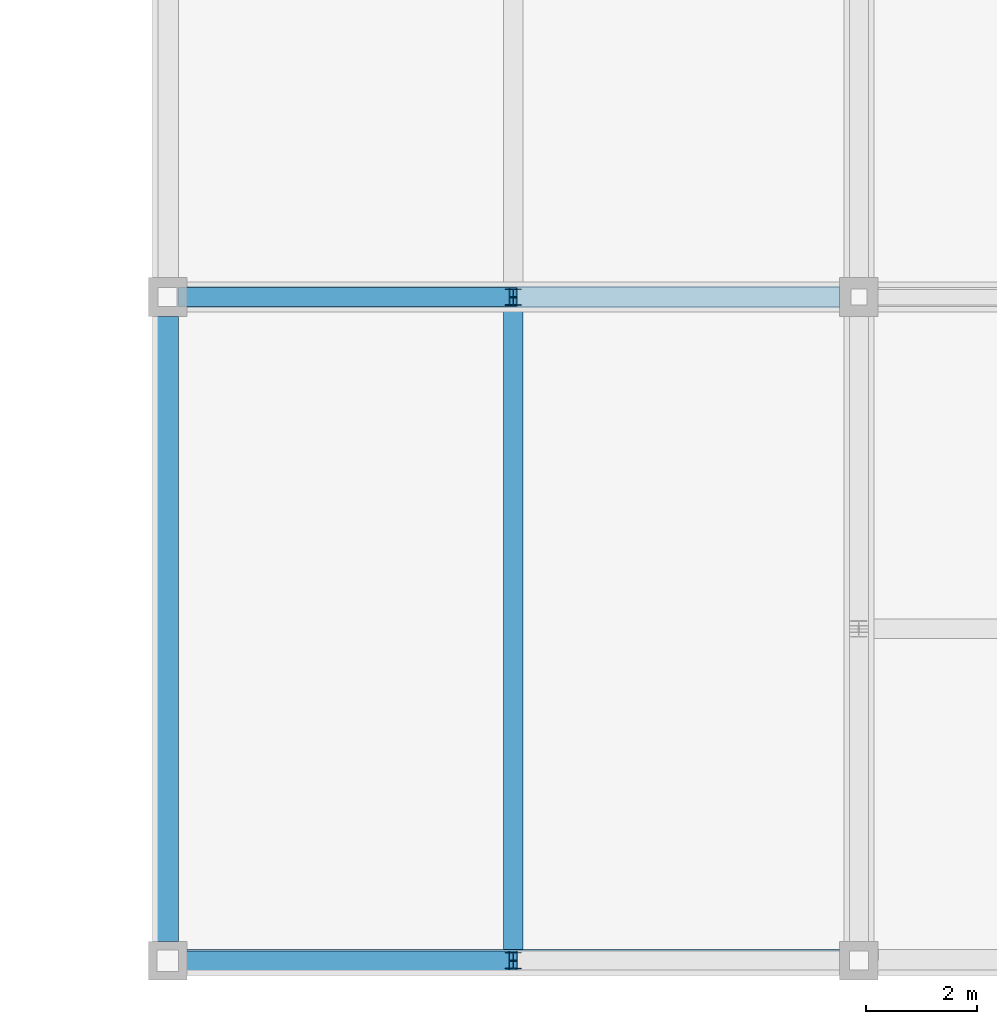
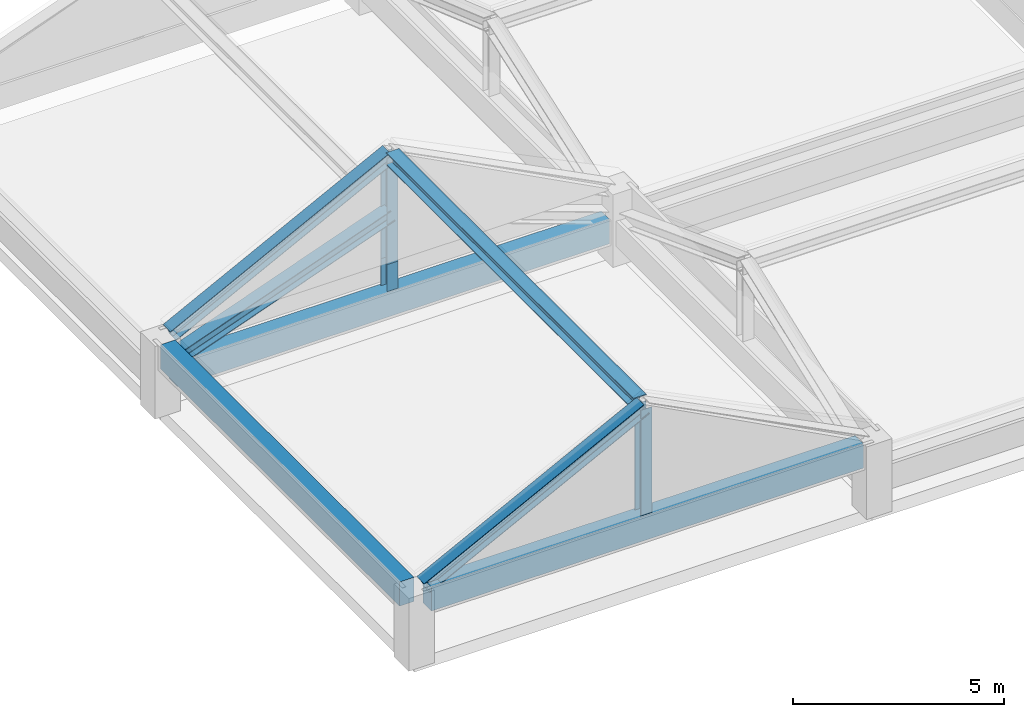
# One storey, part 3 of 117: 7 members, 3 beams.
"""IFC4 building model written with IfcOpenShell, lengths in metres."""

import ifcopenshell
import ifcopenshell.guid

model = None  # the IFC model being written
_history = None  # IfcOwnerHistory: only IFC2X3 demands one
_inside = {}  # id of a spatial element -> (the spatial element, [elements in it])
_under = {}  # id of a project, library or spatial element -> (it, [spatial elements below it])
_declared = {}  # id of a project -> (the project, [libraries it declares])
_typed = {}  # id of a type object -> (the type object, [elements of that type])
_made_of = {}  # id of a material, layer set ... -> (it, [elements and type objects made of it])


def new_model(schema):
    """Start an empty IFC model of exactly this schema.

    Asked for "IFC4X3", IfcOpenShell would pick the latest addendum, in which some entities
    have other attributes; the version numbers below select the first issue.
    IFC2X3 requires an IfcOwnerHistory on every rooted entity: one is made here for all.
    """
    global model, _history
    if schema == "IFC4X3":
        model = ifcopenshell.file(schema_version=(4, 3, 0, 0))
    else:
        model = ifcopenshell.file(schema=schema)
    _inside.clear()
    _under.clear()
    _declared.clear()
    _typed.clear()
    _made_of.clear()
    _history = None
    if model.schema == "IFC2X3":
        org = make("IfcOrganization", Name="unknown")
        user = make(
            "IfcPersonAndOrganization",
            ThePerson=make("IfcPerson", FamilyName="unknown"),
            TheOrganization=org,
        )
        app = make(
            "IfcApplication",
            ApplicationDeveloper=org,
            Version="unknown",
            ApplicationFullName="unknown",
            ApplicationIdentifier="unknown",
        )
        _history = make(
            "IfcOwnerHistory",
            OwningUser=user,
            OwningApplication=app,
            ChangeAction="ADDED",
            CreationDate=0,
        )
    return model


def make(cls, **values):
    """One entity of the class cls with the attributes given. An attribute that is None is left unset."""
    return model.create_entity(
        cls, **{name: value for name, value in values.items() if value is not None}
    )


def rooted(cls, **values):
    """An entity with a GlobalId (a new one), such as an element, a storey or a relation."""
    return make(cls, GlobalId=ifcopenshell.guid.new(), OwnerHistory=_history, **values)


def si_unit(unit_type, name, prefix=None):
    """IfcSIUnit, for example si_unit("LENGTHUNIT", "METRE", prefix="MILLI")."""
    return make("IfcSIUnit", UnitType=unit_type, Prefix=prefix, Name=name)


def assignment(units):
    """IfcUnitAssignment: the units of a project."""
    return None if units is None else make("IfcUnitAssignment", Units=units)


def point(xyz):
    """IfcCartesianPoint."""
    return None if xyz is None else make("IfcCartesianPoint", Coordinates=xyz)


def direction(xyz):
    """IfcDirection."""
    return None if xyz is None else make("IfcDirection", DirectionRatios=xyz)


def frame(location, z_axis=None, x_axis=None):
    """IfcAxis2Placement3D, a coordinate frame: its origin and axes. An axis left out is left unset."""
    return make(
        "IfcAxis2Placement3D",
        Location=point(location),
        Axis=direction(z_axis),
        RefDirection=direction(x_axis),
    )


def frame_2d(location, x_axis=None):
    """IfcAxis2Placement2D, a coordinate frame in the plane: its origin and x axis."""
    return make(
        "IfcAxis2Placement2D", Location=point(location), RefDirection=direction(x_axis)
    )


def origin():
    """The frame at (0, 0, 0) with its axes left unset."""
    return frame((0.0, 0.0, 0.0))


def origin_2d():
    """The frame at (0, 0) in the plane with its x axis left unset."""
    return frame_2d((0.0, 0.0))


def place(relative_to, where):
    """IfcLocalPlacement: puts the frame where relative to a parent placement (None: the world)."""
    return make(
        "IfcLocalPlacement", PlacementRelTo=relative_to, RelativePlacement=where
    )


def context(
    kind, dimensions, precision=None, world=None, true_north=None, identifier=None
):
    """IfcGeometricRepresentationContext, for example the 3D "Model" context."""
    return make(
        "IfcGeometricRepresentationContext",
        ContextIdentifier=identifier,
        ContextType=kind,
        CoordinateSpaceDimension=dimensions,
        Precision=precision,
        WorldCoordinateSystem=world,
        TrueNorth=true_north,
    )


def subcontext(parent, identifier, kind, view, scale=None):
    """IfcGeometricRepresentationSubContext, for example "Body" below "Model"."""
    return make(
        "IfcGeometricRepresentationSubContext",
        ContextIdentifier=identifier,
        ContextType=kind,
        ParentContext=parent,
        TargetScale=scale,
        TargetView=view,
    )


def project(units=None, contexts=None):
    """IfcProject with its units and contexts."""
    return rooted(
        "IfcProject",
        Name="project",
        RepresentationContexts=contexts,
        UnitsInContext=assignment(units),
    )


def spatial(cls, under=None, at=None, **own):
    """A site, building, storey or space (cls), placed at a placement, below another one or the project."""
    s = rooted(cls, ObjectPlacement=at, **own)
    if under is not None:
        _under.setdefault(under.id(), (under, []))[1].append(s)
    return s


def profile(cls, at=None, kind="AREA", **sizes):
    """A parametric profile (cls). Its sizes go by their IFC names, for example OverallWidth=200.0."""
    return make(cls, ProfileType=kind, Position=at, **sizes)


def rectangle(**sizes):
    """IfcRectangleProfileDef."""
    return profile("IfcRectangleProfileDef", **sizes)


def i_section(**sizes):
    """IfcIShapeProfileDef."""
    return profile("IfcIShapeProfileDef", **sizes)


def extrude(swept, where, along, depth):
    """IfcExtrudedAreaSolid: the profile swept, set in the frame where, extruded along a direction by depth."""
    return make(
        "IfcExtrudedAreaSolid",
        SweptArea=swept,
        Position=where,
        ExtrudedDirection=direction(along),
        Depth=depth,
    )


def shape(context_of_items, identifier, shape_type, items):
    """IfcShapeRepresentation: the items that make up one representation, for example the "Body"."""
    return make(
        "IfcShapeRepresentation",
        ContextOfItems=context_of_items,
        RepresentationIdentifier=identifier,
        RepresentationType=shape_type,
        Items=items,
    )


def material(Name=None, Category=None):
    """IfcMaterial."""
    return make("IfcMaterial", Name=Name, Category=Category)


def material_profile(
    of_material, cross_section, Name=None, Category=None, Priority=None
):
    """IfcMaterialProfile: a cross section and its material."""
    return make(
        "IfcMaterialProfile",
        Name=Name,
        Material=of_material,
        Profile=cross_section,
        Priority=Priority,
        Category=Category,
    )


def profile_set(profiles, Name=None, composite=None):
    """IfcMaterialProfileSet."""
    return make(
        "IfcMaterialProfileSet",
        Name=Name,
        MaterialProfiles=profiles,
        CompositeProfile=composite,
    )


def made_of(thing, what):
    """Note that an element or type object is made of a material, layer set ...; save() writes the relation."""
    if what is not None:
        _made_of.setdefault(what.id(), (what, []))[1].append(thing)
    return thing


def type_object(cls, material=None, **own):
    """A type object (cls), such as IfcWallType, which elements share."""
    return made_of(rooted(cls, **own), material)


def element(
    cls,
    number,
    at=None,
    inside=None,
    cuts=None,
    type_object=None,
    material=None,
    context=None,
    identifier="Body",
    shape_type=None,
    held_by="IfcProductDefinitionShape",
    body=None,
    shapes=None,
    **own,
):
    """One element of the class cls, such as IfcWall. Its Tag is "e" and its number.

    at: its placement. inside: the storey or other place that contains it. cuts: it is an
    opening in that element (IfcRelVoidsElement). A single representation is given by context,
    identifier, shape_type and body (its items); several are given by shapes. held_by: the class
    of the entity that holds the representations. save() writes the other relations.
    """
    e = rooted(cls, Tag="e%d" % number, ObjectPlacement=at, **own)
    if body is not None:
        shapes = [shape(context, identifier, shape_type, body)]
    if shapes is not None:
        e.Representation = make(held_by, Representations=shapes)
    if inside is not None:
        _inside.setdefault(inside.id(), (inside, []))[1].append(e)
    if cuts is not None:
        rooted(
            "IfcRelVoidsElement", RelatingBuildingElement=cuts, RelatedOpeningElement=e
        )
    if type_object is not None:
        _typed.setdefault(type_object.id(), (type_object, []))[1].append(e)
    return made_of(e, material)


def aggregate(whole, parts):
    """IfcRelAggregates: a whole, such as a stair, and the parts it consists of."""
    return rooted("IfcRelAggregates", RelatingObject=whole, RelatedObjects=parts)


def save(model, path):
    """Write the relations noted so far, then the file.

    IfcRelAggregates (storeys below a building ...), IfcRelContainedInSpatialStructure (elements
    in a storey), IfcRelDefinesByType, IfcRelAssociatesMaterial and IfcRelDeclares: one each for
    every whole, place, type object, material and project.
    """
    for whole, parts in _under.values():
        aggregate(whole, parts)
    for where, things in _inside.values():
        rooted(
            "IfcRelContainedInSpatialStructure",
            RelatedElements=things,
            RelatingStructure=where,
        )
    for kind, things in _typed.values():
        rooted("IfcRelDefinesByType", RelatedObjects=things, RelatingType=kind)
    for what, things in _made_of.values():
        rooted("IfcRelAssociatesMaterial", RelatedObjects=things, RelatingMaterial=what)
    for by, libraries in _declared.values():
        rooted("IfcRelDeclares", RelatingContext=by, RelatedDefinitions=libraries)
    model.write(path)


model = new_model("IFC4")

# Units and contexts
model_context = context("Model", 3, precision=1e-05, world=origin(), true_north=direction((0.0, 1.0)))
body_context = subcontext(model_context, "Body", "Model", "MODEL_VIEW")
ifc_project = project(units=[si_unit("LENGTHUNIT", "METRE"), si_unit("AREAUNIT", "SQUARE_METRE"), si_unit("VOLUMEUNIT", "CUBIC_METRE"), si_unit("PLANEANGLEUNIT", "RADIAN"), si_unit("MASSUNIT", "GRAM", prefix="KILO")], contexts=[model_context])

# Site, building, storey
site_placement = place(None, origin())
site = spatial("IfcSite", under=ifc_project, at=site_placement, CompositionType="ELEMENT")
building_placement = place(site_placement, origin())
building = spatial("IfcBuilding", under=site, at=building_placement, Name="Kazenohara Klinker Stadium", CompositionType="ELEMENT")
storey_placement = place(building_placement, frame((0.0, 0.0, 31.199951171875)))
storey = spatial("IfcBuildingStorey", under=building, at=storey_placement, Name="RF", CompositionType="ELEMENT", Elevation=31.199951171875)

# Beams
ifc_material_1 = material(Name="Concrete C40/50", Category="concrete")
ifc_material_profile_1 = material_profile(ifc_material_1, rectangle(XDim=0.39990234375, YDim=0.699951171875, at=origin_2d()), Name="RC-BM-400x700")
ifc_profile_set_1 = profile_set([ifc_material_profile_1], Name="Concrete C40/50")
beam_type = type_object("IfcBeamType", Name="BM-RC04", PredefinedType="BEAM", material=ifc_profile_set_1)
for number, where, z_axis, x_axis, name in (
    (1, (24.35009765625, 12.0, 1.75), (1.0, 0.0, 0.0), (0.0, 1.0, 0.0), "Turret crown eave girder BG04 RF X2-1"),
    (2, (24.35009765625, 24.0, 0.949951171875), (1.0, 0.0, 0.0), (0.0, 1.0, 0.0), "Turret crown eave girder BG04 RF X2-2"),
):
    element("IfcBeam", number, at=place(storey_placement, frame(where, z_axis=z_axis, x_axis=x_axis)), inside=storey, type_object=beam_type, Name=name, PredefinedType="BEAM", context=body_context, shape_type="SweptSolid", body=[
        extrude(rectangle(XDim=0.39990234375, YDim=0.699951171875, at=origin_2d()), origin(), (0.0, 0.0, 1.0), 11.7998046875),
    ])
beam_placement = place(storey_placement, frame((24.0, 12.35009765625, 1.75), z_axis=(0.0, 1.0, 0.0), x_axis=(-1.0, 0.0, 0.0)))
element("IfcBeam", 3, at=beam_placement, inside=storey, type_object=beam_type, Name="Turret crown eave girder BG04 RF Y2-1", PredefinedType="BEAM", context=body_context, shape_type="SweptSolid", body=[
    extrude(rectangle(XDim=0.39990234375, YDim=0.699951171875, at=origin_2d()), origin(), (0.0, 0.0, 1.0), 11.2998046875),
])

# Members
ifc_material_2 = material(Name="Steel S355", Category="steel")
ifc_material_profile_2 = material_profile(ifc_material_2, i_section(OverallWidth=0.35009765625, OverallDepth=0.35009765625, WebThickness=0.011962890625, FlangeThickness=0.01904296875, FilletRadius=0.012939453125, at=origin_2d()), Name="H-350x350x12x19")
ifc_profile_set_2 = profile_set([ifc_material_profile_2], Name="Steel S355")
member_type_1 = type_object("IfcMemberType", Name="MEM-CHD02", PredefinedType="CHORD", material=ifc_profile_set_2)
for number, where, z_axis, x_axis, name in (
    (4, (24.25, 12.0, 2.080078125), (0.890230058261, 0.0, 0.455511189072), (0.0, 1.0, 0.0), "Crown gable rafter GT2-SW S West"),
    (5, (24.25, 24.0, 2.080078125), (0.890230058261, 0.0, 0.455511189072), (0.0, 1.0, 0.0), "Crown gable rafter GT2-SW N West"),
):
    element("IfcMember", number, at=place(storey_placement, frame(where, z_axis=z_axis, x_axis=x_axis)), inside=storey, type_object=member_type_1, Name=name, PredefinedType="CHORD", context=body_context, shape_type="SweptSolid", body=[
        extrude(i_section(OverallWidth=0.35009765625, OverallDepth=0.35009765625, WebThickness=0.011962890625, FlangeThickness=0.01904296875, FilletRadius=0.012939453125, at=origin_2d()), origin(), (0.0, 0.0, 1.0), 6.73974609375),
    ])
member_1_placement = place(storey_placement, frame((30.25, 12.14990234375, 5.150146484375), z_axis=(0.0, 1.0, 0.0), x_axis=(-1.0, 0.0, 0.0)))
element("IfcMember", 6, at=member_1_placement, inside=storey, type_object=member_type_1, Name="Crown ridge beam GT2-SW", PredefinedType="CHORD", context=body_context, shape_type="SweptSolid", body=[
    extrude(i_section(OverallWidth=0.35009765625, OverallDepth=0.35009765625, WebThickness=0.011962890625, FlangeThickness=0.01904296875, FilletRadius=0.012939453125, at=origin_2d()), origin(), (0.0, 0.0, 1.0), 11.7001953125),
])
member_2_placement = place(storey_placement, frame((24.25, 24.0, 1.280029296875), z_axis=(0.940390807712, 0.0, 0.340095764117), x_axis=(0.0, 1.0, 0.0)))
element("IfcMember", 7, at=member_2_placement, inside=storey, type_object=member_type_1, Name="Crown gable rafter GT2-NW S West", PredefinedType="CHORD", context=body_context, shape_type="SweptSolid", body=[
    extrude(i_section(OverallWidth=0.35009765625, OverallDepth=0.35009765625, WebThickness=0.011962890625, FlangeThickness=0.01904296875, FilletRadius=0.012939453125, at=origin_2d()), origin(), (0.0, 0.0, 1.0), 6.38037109375),
])
ifc_material_profile_3 = material_profile(ifc_material_2, i_section(OverallWidth=0.300048828125, OverallDepth=0.300048828125, WebThickness=0.010009765625, FlangeThickness=0.014892578125, FilletRadius=0.012939453125, at=origin_2d()), Name="H-300x300x10x15")
ifc_profile_set_3 = profile_set([ifc_material_profile_3], Name="Steel S355")
member_type_2 = type_object("IfcMemberType", Name="MEM-STR01", PredefinedType="STRUT", material=ifc_profile_set_3)
for number, where, z_axis, x_axis, name in (
    (8, (30.25, 12.0, 2.080078125), (0.0, 0.0, 1.0), (1.0, 0.0, 0.0), "Crown gable king-post GT2-SW S"),
    (9, (30.25, 24.0, 2.080078125), (0.0, 0.0, 1.0), (1.0, 0.0, 0.0), "Crown gable king-post GT2-SW N"),
):
    element("IfcMember", number, at=place(storey_placement, frame(where, z_axis=z_axis, x_axis=x_axis)), inside=storey, type_object=member_type_2, Name=name, PredefinedType="STRUT", context=body_context, shape_type="SweptSolid", body=[
        extrude(i_section(OverallWidth=0.300048828125, OverallDepth=0.300048828125, WebThickness=0.010009765625, FlangeThickness=0.014892578125, FilletRadius=0.012939453125, at=origin_2d()), origin(), (0.0, 0.0, 1.0), 3.070068359375),
    ])
member_3_placement = place(storey_placement, frame((30.25, 24.0, 1.280029296875), z_axis=(0.0, 0.0, 1.0), x_axis=(1.0, 0.0, 0.0)))
element("IfcMember", 10, at=member_3_placement, inside=storey, type_object=member_type_2, Name="Crown gable king-post GT2-NW S", PredefinedType="STRUT", context=body_context, shape_type="SweptSolid", body=[
    extrude(i_section(OverallWidth=0.300048828125, OverallDepth=0.300048828125, WebThickness=0.010009765625, FlangeThickness=0.014892578125, FilletRadius=0.012939453125, at=origin_2d()), origin(), (0.0, 0.0, 1.0), 2.169921875),
])

save(model, "model.ifc")
